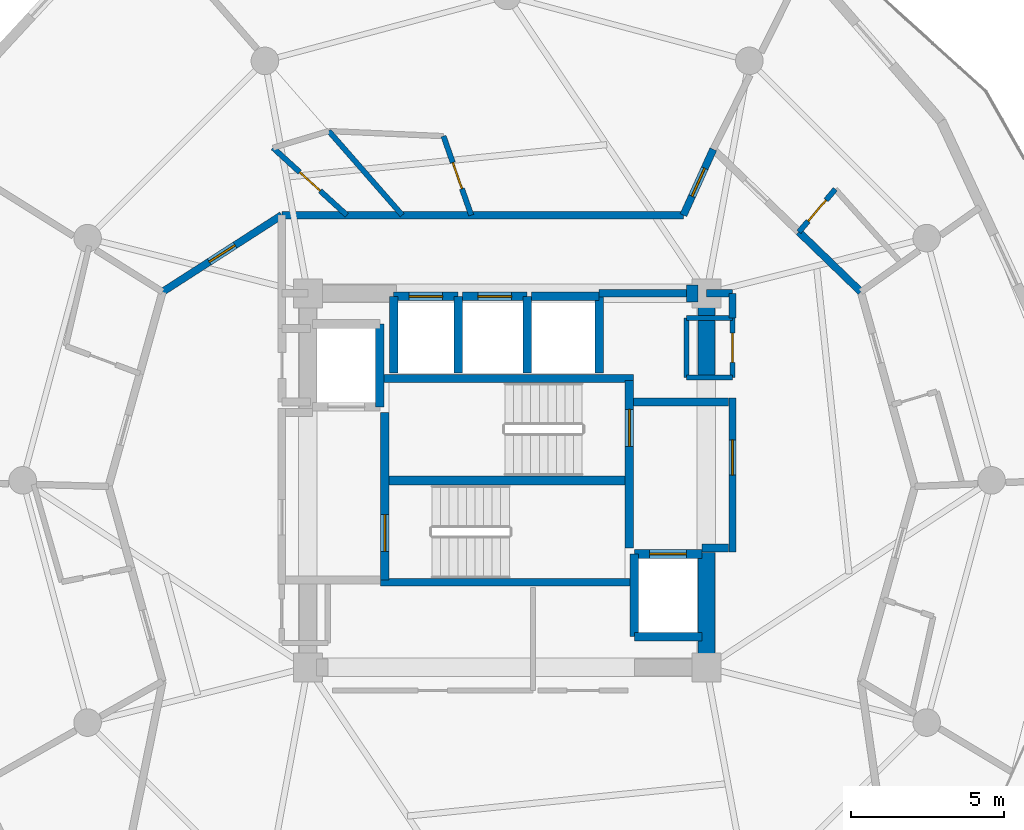
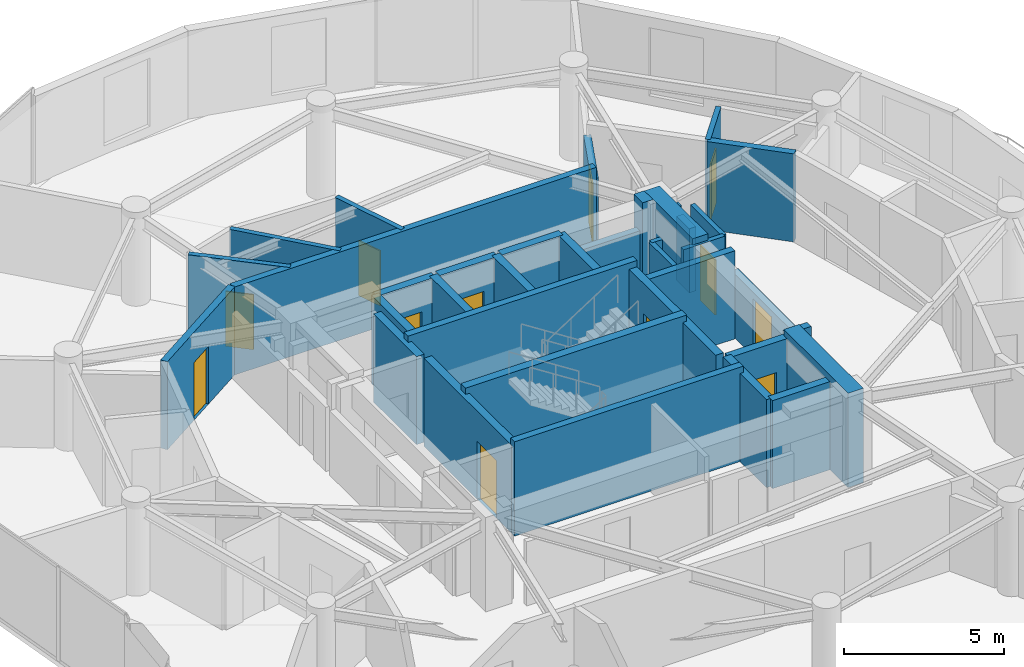
# One storey, part 18 of 22: 37 walls, 12 doors, 12 openings.
"""IFC4 building model written with IfcOpenShell, lengths in metres."""

from ifc_helpers import new_model, si_unit, direction, frame, frame_2d, origin, place, context, subcontext, project, spatial, rectangle, extrude, material, layer, layer_set, type_object, element, fill, save


model = new_model("IFC4")

# Units and contexts
model_context = context("Model", 3, precision=1e-05, world=origin(), true_north=direction((0.0, 1.0)))
body_context = subcontext(model_context, "Body", "Model", "MODEL_VIEW")
ifc_project = project(units=[si_unit("LENGTHUNIT", "METRE"), si_unit("AREAUNIT", "SQUARE_METRE"), si_unit("VOLUMEUNIT", "CUBIC_METRE"), si_unit("PLANEANGLEUNIT", "RADIAN"), si_unit("MASSUNIT", "GRAM", prefix="KILO")], contexts=[model_context])

# Site, building, storey
site_placement = place(None, origin())
site = spatial("IfcSite", under=ifc_project, at=site_placement, CompositionType="ELEMENT")
building_placement = place(site_placement, origin())
building = spatial("IfcBuilding", under=site, at=building_placement, Name="Solvirekh Grand Hotel", CompositionType="ELEMENT")
storey_placement = place(building_placement, frame((0.0, 0.0, 227.199951171875)))
storey = spatial("IfcBuildingStorey", under=building, at=storey_placement, Name="L59", CompositionType="ELEMENT", Elevation=227.199951171875)

# Walls
ifc_material_1 = material(Name="Concrete C50/60", Category="concrete")
ifc_layer_1 = layer(ifc_material_1, 0.35009765625)
ifc_layer_set_1 = layer_set([ifc_layer_1], Name="Concrete C50/60")
wall_type_1 = type_object("IfcWallType", Name="CoreDivWall_RC350", PredefinedType="SOLIDWALL", material=ifc_layer_set_1)
for number, where, z_axis, x_axis, name in (
    (1, (-4.1298828125, -3.324951171875, 0.0), (0.0, 0.0, 1.0), (1.0, 0.0, 0.0), "L59 core stair box wall ST-S"),
    (2, (-4.1298828125, 3.324951171875, 0.0), (0.0, 0.0, 1.0), (1.0, 0.0, 0.0), "L59 core stair box wall ST-N"),
):
    element("IfcWall", number, at=place(storey_placement, frame(where, z_axis=z_axis, x_axis=x_axis)), inside=storey, type_object=wall_type_1, Name=name, PredefinedType="SOLIDWALL", context=body_context, shape_type="SweptSolid", body=[
        extrude(rectangle(XDim=8.259765625, YDim=0.25, at=frame_2d((4.1298828125, 0.0))), origin(), (0.0, 0.0, 1.0), 3.60009765625),
    ])

# Wall, opening, door
ifc_material_2 = material(Name="Concrete C40/50", Category="concrete")
ifc_layer_2 = layer(ifc_material_2, 0.280029296875)
ifc_layer_set_2 = layer_set([ifc_layer_2], Name="Concrete C40/50")
wall_type_2 = type_object("IfcWallType", Name="CoreShaftWall_RC280", PredefinedType="SOLIDWALL", material=ifc_layer_set_2)
wall_1_placement = place(storey_placement, frame((-1.60009765625, 6.0, 0.0), z_axis=(0.0, 0.0, 1.0), x_axis=(-1.0, 0.0, 0.0)))
wall_1 = element("IfcWall", 3, at=wall_1_placement, inside=storey, type_object=wall_type_2, Name="L59 HP-1 hoistway N wall", PredefinedType="SOLIDWALL", context=body_context, shape_type="SweptSolid", body=[
    extrude(rectangle(XDim=2.099853515625, YDim=0.280029296875, at=frame_2d((1.0498046875, 0.0))), origin(), (0.0, 0.0, 1.0), 3.360107421875),
])
opening_1_placement = place(wall_1_placement, frame((0.5, 0.0, 0.0)))
opening_1 = element("IfcOpeningElement", 4, at=opening_1_placement, cuts=wall_1, Name="Opening LD01", PredefinedType="OPENING", context=body_context, shape_type="SweptSolid", body=[
    extrude(rectangle(XDim=1.10009765625, YDim=2.199951171875, at=frame_2d((0.550048828125, 1.10009765625))), frame((0.0, 0.14990234375, 0.0), z_axis=(0.0, -1.0, 0.0), x_axis=(1.0, 0.0, 0.0)), (0.0, 0.0, 1.0), 0.300048828125),
])
ifc_material_3 = material(Name="Fire-Rated Steel Door Assembly", Category="steel")
door_type_1 = type_object("IfcDoorType", Name="Door_LiftLanding_1100X2200", OperationType="SLIDING_TO_LEFT", PredefinedType="DOOR", material=ifc_material_3)
door_1_placement = place(opening_1_placement, origin())
door_1 = element("IfcDoor", 5, at=door_1_placement, inside=storey, type_object=door_type_1, Name="L59 HP-1 sliding lift landing door", OperationType="SLIDING_TO_LEFT", OverallHeight=2.199951171875, OverallWidth=1.10009765625, PredefinedType="DOOR", context=body_context, shape_type="SweptSolid", body=[
    extrude(rectangle(XDim=1.10009765625, YDim=2.199951171875, at=frame_2d((0.550048828125, 1.10009765625))), frame((0.0, 0.02490234375, 0.0), z_axis=(0.0, -1.0, 0.0), x_axis=(1.0, 0.0, 0.0)), (0.0, 0.0, 1.0), 0.050048828125),
])
fill(opening_1, door_1)

# Walls
for number, where, z_axis, x_axis, name in (
    (6, (-3.699951171875, 6.0, 0.0), (0.0, 0.0, 1.0), (0.0, -1.0, 0.0), "L59 HP-1 hoistway W wall"),
    (7, (-1.60009765625, 3.5, 0.0), (0.0, 0.0, 1.0), (0.0, 1.0, 0.0), "L59 HP-1 hoistway E wall"),
):
    element("IfcWall", number, at=place(storey_placement, frame(where, z_axis=z_axis, x_axis=x_axis)), inside=storey, type_object=wall_type_2, Name=name, PredefinedType="SOLIDWALL", context=body_context, shape_type="SweptSolid", body=[
        extrude(rectangle(XDim=2.5, YDim=0.280029296875, at=frame_2d((1.25, 0.0))), origin(), (0.0, 0.0, 1.0), 3.360107421875),
    ])

# Wall, opening, door
wall_2_placement = place(storey_placement, frame((0.64990234375, 6.0, 0.0), z_axis=(0.0, 0.0, 1.0), x_axis=(-1.0, 0.0, 0.0)))
wall_2 = element("IfcWall", 8, at=wall_2_placement, inside=storey, type_object=wall_type_2, Name="L59 HP-2 hoistway N wall", PredefinedType="SOLIDWALL", context=body_context, shape_type="SweptSolid", body=[
    extrude(rectangle(XDim=2.099853515625, YDim=0.280029296875, at=frame_2d((1.0498046875, 0.0))), origin(), (0.0, 0.0, 1.0), 3.360107421875),
])
opening_2_placement = place(wall_2_placement, frame((0.5, 0.0, 0.0)))
opening_2 = element("IfcOpeningElement", 9, at=opening_2_placement, cuts=wall_2, Name="Opening LD01", PredefinedType="OPENING", context=body_context, shape_type="SweptSolid", body=[
    extrude(rectangle(XDim=1.10009765625, YDim=2.199951171875, at=frame_2d((0.550048828125, 1.10009765625))), frame((0.0, 0.14990234375, 0.0), z_axis=(0.0, -1.0, 0.0), x_axis=(1.0, 0.0, 0.0)), (0.0, 0.0, 1.0), 0.300048828125),
])
door_2_placement = place(opening_2_placement, origin())
door_2 = element("IfcDoor", 10, at=door_2_placement, inside=storey, type_object=door_type_1, Name="L59 HP-2 sliding lift landing door", OperationType="SLIDING_TO_LEFT", OverallHeight=2.199951171875, OverallWidth=1.10009765625, PredefinedType="DOOR", context=body_context, shape_type="SweptSolid", body=[
    extrude(rectangle(XDim=1.10009765625, YDim=2.199951171875, at=frame_2d((0.550048828125, 1.10009765625))), frame((0.0, 0.02490234375, 0.0), z_axis=(0.0, -1.0, 0.0), x_axis=(1.0, 0.0, 0.0)), (0.0, 0.0, 1.0), 0.050048828125),
])
fill(opening_2, door_2)

# Walls
wall_3_placement = place(storey_placement, frame((0.64990234375, 3.5, 0.0), z_axis=(0.0, 0.0, 1.0), x_axis=(0.0, 1.0, 0.0)))
element("IfcWall", 11, at=wall_3_placement, inside=storey, type_object=wall_type_2, Name="L59 HP-2 hoistway E wall", PredefinedType="SOLIDWALL", context=body_context, shape_type="SweptSolid", body=[
    extrude(rectangle(XDim=2.5, YDim=0.280029296875, at=frame_2d((1.25, 0.0))), origin(), (0.0, 0.0, 1.0), 3.360107421875),
])
wall_4_placement = place(storey_placement, frame((3.0, 6.0, 0.0), z_axis=(0.0, 0.0, 1.0), x_axis=(-1.0, 0.0, 0.0)))
element("IfcWall", 12, at=wall_4_placement, inside=storey, type_object=wall_type_2, Name="L59 EX-1 hoistway N wall", PredefinedType="SOLIDWALL", context=body_context, shape_type="SweptSolid", body=[
    extrude(rectangle(XDim=2.199951171875, YDim=0.280029296875, at=frame_2d((1.10009765625, 0.0))), origin(), (0.0, 0.0, 1.0), 3.360107421875),
])
wall_5_placement = place(storey_placement, frame((3.0, 3.5, 0.0), z_axis=(0.0, 0.0, 1.0), x_axis=(0.0, 1.0, 0.0)))
element("IfcWall", 13, at=wall_5_placement, inside=storey, type_object=wall_type_2, Name="L59 EX-1 hoistway E wall", PredefinedType="SOLIDWALL", context=body_context, shape_type="SweptSolid", body=[
    extrude(rectangle(XDim=2.5, YDim=0.280029296875, at=frame_2d((1.25, 0.0))), origin(), (0.0, 0.0, 1.0), 3.360107421875),
])
wall_6_placement = place(storey_placement, frame((-4.14990234375, 2.39990234375, 0.0), z_axis=(0.0, 0.0, 1.0), x_axis=(0.0, 1.0, 0.0)))
element("IfcWall", 14, at=wall_6_placement, inside=storey, type_object=wall_type_2, Name="L59 FL-1 hoistway E wall", PredefinedType="SOLIDWALL", context=body_context, shape_type="SweptSolid", body=[
    extrude(rectangle(XDim=2.7001953125, YDim=0.280029296875, at=frame_2d((1.35009765625, 0.0))), origin(), (0.0, 0.0, 1.0), 3.360107421875),
])
wall_7_placement = place(storey_placement, frame((4.14990234375, -5.10009765625, 0.0), z_axis=(0.0, 0.0, 1.0), x_axis=(1.0, 0.0, 0.0)))
element("IfcWall", 15, at=wall_7_placement, inside=storey, type_object=wall_type_2, Name="L59 FL-2 hoistway S wall", PredefinedType="SOLIDWALL", context=body_context, shape_type="SweptSolid", body=[
    extrude(rectangle(XDim=2.2001953125, YDim=0.280029296875, at=frame_2d((1.10009765625, 0.0))), origin(), (0.0, 0.0, 1.0), 3.360107421875),
])

# Wall, opening, door
wall_8_placement = place(storey_placement, frame((6.35009765625, -2.39990234375, 0.0), z_axis=(0.0, 0.0, 1.0), x_axis=(-1.0, 0.0, 0.0)))
wall_8 = element("IfcWall", 16, at=wall_8_placement, inside=storey, type_object=wall_type_2, Name="L59 FL-2 hoistway N wall", PredefinedType="SOLIDWALL", context=body_context, shape_type="SweptSolid", body=[
    extrude(rectangle(XDim=2.2001953125, YDim=0.280029296875, at=frame_2d((1.10009765625, 0.0))), origin(), (0.0, 0.0, 1.0), 3.360107421875),
])
opening_3_placement = place(wall_8_placement, frame((0.5, 0.0, 0.0)))
opening_3 = element("IfcOpeningElement", 17, at=opening_3_placement, cuts=wall_8, Name="Opening LD02", PredefinedType="OPENING", context=body_context, shape_type="SweptSolid", body=[
    extrude(rectangle(XDim=1.199951171875, YDim=2.199951171875, at=frame_2d((0.60009765625, 1.10009765625))), frame((0.0, 0.14990234375, 0.0), z_axis=(0.0, -1.0, 0.0), x_axis=(1.0, 0.0, 0.0)), (0.0, 0.0, 1.0), 0.300048828125),
])
door_type_2 = type_object("IfcDoorType", Name="Door_LiftFF_1200X2200", OperationType="SLIDING_TO_LEFT", PredefinedType="DOOR", material=ifc_material_3)
door_3_placement = place(opening_3_placement, origin())
door_3 = element("IfcDoor", 18, at=door_3_placement, inside=storey, type_object=door_type_2, Name="L59 FL-2 sliding lift landing door", OperationType="SLIDING_TO_LEFT", OverallHeight=2.199951171875, OverallWidth=1.199951171875, PredefinedType="DOOR", context=body_context, shape_type="SweptSolid", body=[
    extrude(rectangle(XDim=1.199951171875, YDim=2.199951171875, at=frame_2d((0.60009765625, 1.10009765625))), frame((0.0, 0.02490234375, 0.0), z_axis=(0.0, -1.0, 0.0), x_axis=(1.0, 0.0, 0.0)), (0.0, 0.0, 1.0), 0.050048828125),
])
fill(opening_3, door_3)

# Wall
wall_9_placement = place(storey_placement, frame((4.14990234375, -2.39990234375, 0.0), z_axis=(0.0, 0.0, 1.0), x_axis=(0.0, -1.0, 0.0)))
element("IfcWall", 19, at=wall_9_placement, inside=storey, type_object=wall_type_2, Name="L59 FL-2 hoistway W wall", PredefinedType="SOLIDWALL", context=body_context, shape_type="SweptSolid", body=[
    extrude(rectangle(XDim=2.7001953125, YDim=0.280029296875, at=frame_2d((1.35009765625, 0.0))), origin(), (0.0, 0.0, 1.0), 3.360107421875),
])

# Wall, opening, door
wall_10_placement = place(storey_placement, frame((-3.989990234375, -3.25, 0.0), z_axis=(0.0, 0.0, 1.0), x_axis=(0.0, 1.0, 0.0)))
wall_10 = element("IfcWall", 20, at=wall_10_placement, inside=storey, type_object=wall_type_2, Name="L59 west stair landing enclosure wall", PredefinedType="SOLIDWALL", context=body_context, shape_type="SweptSolid", body=[
    extrude(rectangle(XDim=5.4599609375, YDim=0.280029296875, at=frame_2d((2.72998046875, 0.0))), origin(), (0.0, 0.0, 1.0), 3.360107421875),
])
opening_4_placement = place(wall_10_placement, frame((0.93701171875, 0.0, 0.0)))
opening_4 = element("IfcOpeningElement", 21, at=opening_4_placement, cuts=wall_10, Name="Opening D05", PredefinedType="OPENING", context=body_context, shape_type="SweptSolid", body=[
    extrude(rectangle(XDim=1.199951171875, YDim=2.199951171875, at=frame_2d((0.60009765625, 1.10009765625))), frame((0.0, 0.14990234375, 0.0), z_axis=(0.0, -1.0, 0.0), x_axis=(1.0, 0.0, 0.0)), (0.0, 0.0, 1.0), 0.300048828125),
])
door_type_3 = type_object("IfcDoorType", Name="Door_StairCore_1200X2200", OperationType="NOTDEFINED", PredefinedType="DOOR", material=ifc_material_3)
door_4_placement = place(opening_4_placement, origin())
door_4 = element("IfcDoor", 22, at=door_4_placement, inside=storey, type_object=door_type_3, Name="L59 exit stair ST-1 fire door", OperationType="SINGLE_SWING_RIGHT", OverallHeight=2.199951171875, OverallWidth=1.199951171875, PredefinedType="DOOR", context=body_context, shape_type="SweptSolid", body=[
    extrude(rectangle(XDim=1.199951171875, YDim=2.199951171875, at=frame_2d((0.60009765625, 1.10009765625))), frame((0.0, 0.02490234375, 0.0), z_axis=(0.0, -1.0, 0.0), x_axis=(1.0, 0.0, 0.0)), (0.0, 0.0, 1.0), 0.050048828125),
])
fill(opening_4, door_4)

wall_11_placement = place(storey_placement, frame((3.989990234375, -2.2099609375, 0.0), z_axis=(0.0, 0.0, 1.0), x_axis=(0.0, 1.0, 0.0)))
wall_11 = element("IfcWall", 23, at=wall_11_placement, inside=storey, type_object=wall_type_2, Name="L59 east stair landing enclosure wall", PredefinedType="SOLIDWALL", context=body_context, shape_type="SweptSolid", body=[
    extrude(rectangle(XDim=5.4599609375, YDim=0.280029296875, at=frame_2d((2.72998046875, 0.0))), origin(), (0.0, 0.0, 1.0), 3.360107421875),
])
opening_5_placement = place(wall_11_placement, frame((3.322998046875, 0.0, 0.0)))
opening_5 = element("IfcOpeningElement", 24, at=opening_5_placement, cuts=wall_11, Name="Opening D05", PredefinedType="OPENING", context=body_context, shape_type="SweptSolid", body=[
    extrude(rectangle(XDim=1.199951171875, YDim=2.199951171875, at=frame_2d((0.60009765625, 1.10009765625))), frame((0.0, 0.14990234375, 0.0), z_axis=(0.0, -1.0, 0.0), x_axis=(1.0, 0.0, 0.0)), (0.0, 0.0, 1.0), 0.300048828125),
])
door_5_placement = place(opening_5_placement, origin())
door_5 = element("IfcDoor", 25, at=door_5_placement, inside=storey, type_object=door_type_3, Name="L59 exit stair ST-2 fire door", OperationType="SINGLE_SWING_LEFT", OverallHeight=2.199951171875, OverallWidth=1.199951171875, PredefinedType="DOOR", context=body_context, shape_type="SweptSolid", body=[
    extrude(rectangle(XDim=1.199951171875, YDim=2.199951171875, at=frame_2d((0.60009765625, 1.10009765625))), frame((0.0, 0.02490234375, 0.0), z_axis=(0.0, -1.0, 0.0), x_axis=(1.0, 0.0, 0.0)), (0.0, 0.0, 1.0), 0.050048828125),
])
fill(opening_5, door_5)

# Walls
ifc_layer_3 = layer(ifc_material_1, 0.550048828125)
ifc_layer_set_3 = layer_set([ifc_layer_3], Name="Concrete C50/60")
wall_type_3 = type_object("IfcWallType", Name="CoreWall_RC550", PredefinedType="SHEAR", material=ifc_layer_set_3)
wall_12_placement = place(storey_placement, frame((-3.989990234375, 0.0, 0.0), z_axis=(0.0, 0.0, 1.0), x_axis=(1.0, 0.0, 0.0)))
element("IfcWall", 26, at=wall_12_placement, inside=storey, type_object=wall_type_3, Name="L59 central stair-spine shear wall", PredefinedType="SHEAR", context=body_context, shape_type="SweptSolid", body=[
    extrude(rectangle(XDim=7.97998046875, YDim=0.300048828125, at=frame_2d((3.989990234375, 0.0))), origin(), (0.0, 0.0, 1.0), 3.60009765625),
])
wall_13_placement = place(storey_placement, frame((5.85009765625, 6.10009765625, 0.0), z_axis=(0.0, 0.0, 1.0), x_axis=(1.0, 0.0, 0.0)))
element("IfcWall", 27, at=wall_13_placement, inside=storey, type_object=wall_type_3, Name="L59 core corner shear wall NE-N", PredefinedType="SHEAR", context=body_context, shape_type="SweptSolid", body=[
    extrude(rectangle(XDim=0.375, YDim=0.550048828125, at=frame_2d((0.1875, 0.0))), origin(), (0.0, 0.0, 1.0), 3.60009765625),
])
wall_14_placement = place(storey_placement, frame((6.5, -6.375, 0.0), z_axis=(0.0, 0.0, 1.0), x_axis=(0.0, 1.0, 0.0)))
element("IfcWall", 28, at=wall_14_placement, inside=storey, type_object=wall_type_3, Name="L59 core corner shear wall ES-E", PredefinedType="SHEAR", context=body_context, shape_type="SweptSolid", body=[
    extrude(rectangle(XDim=4.02490234375, YDim=0.550048828125, at=frame_2d((2.012451171875, 0.0))), origin(), (0.0, 0.0, 1.0), 3.60009765625),
])
wall_15_placement = place(storey_placement, frame((6.5, 3.35009765625, 0.0), z_axis=(0.0, 0.0, 1.0), x_axis=(0.0, 1.0, 0.0)))
element("IfcWall", 29, at=wall_15_placement, inside=storey, type_object=wall_type_3, Name="L59 core corner shear wall EN-E", PredefinedType="SHEAR", context=body_context, shape_type="SweptSolid", body=[
    extrude(rectangle(XDim=3.02490234375, YDim=0.550048828125, at=frame_2d((1.512451171875, 0.0))), origin(), (0.0, 0.0, 1.0), 3.60009765625),
])
ifc_material_4 = material(Name="Acoustic Gypsum Partition Assembly")
ifc_layer_4 = layer(ifc_material_4, 0.1650390625)
ifc_layer_set_4 = layer_set([ifc_layer_4], Name="Acoustic Gypsum Partition Assembly")
wall_type_4 = type_object("IfcWallType", Name="Part_BOH_165", PredefinedType="PARTITIONING", material=ifc_layer_set_4)
wall_16_placement = place(storey_placement, frame((5.85009765625, 3.35009765625, 0.0), z_axis=(0.0, 0.0, 1.0), x_axis=(1.0, 0.0, 0.0)))
element("IfcWall", 30, at=wall_16_placement, inside=storey, type_object=wall_type_4, Name="L59 L59 Core Housekeeping Room wall 1", PredefinedType="PARTITIONING", context=body_context, shape_type="SweptSolid", body=[
    extrude(rectangle(XDim=1.5, YDim=0.1650390625, at=frame_2d((0.75, 0.0))), origin(), (0.0, 0.0, 1.0), 3.360107421875),
])

# Wall, opening, door
wall_17_placement = place(storey_placement, frame((7.35009765625, 3.35009765625, 0.0), z_axis=(0.0, 0.0, 1.0), x_axis=(0.0, 1.0, 0.0)))
wall_17 = element("IfcWall", 31, at=wall_17_placement, inside=storey, type_object=wall_type_4, Name="L59 L59 Core Housekeeping Room wall 2", PredefinedType="PARTITIONING", context=body_context, shape_type="SweptSolid", body=[
    extrude(rectangle(XDim=1.949951171875, YDim=0.1650390625, at=frame_2d((0.97509765625, 0.0))), origin(), (0.0, 0.0, 1.0), 3.360107421875),
])
opening_6_placement = place(wall_17_placement, frame((0.5, 0.0, 0.0)))
opening_6 = element("IfcOpeningElement", 32, at=opening_6_placement, cuts=wall_17, Name="Opening D10", PredefinedType="OPENING", context=body_context, shape_type="SweptSolid", body=[
    extrude(rectangle(XDim=0.949951171875, YDim=2.10009765625, at=frame_2d((0.47509765625, 1.050048828125))), frame((0.0, 0.092529296875, 0.0), z_axis=(0.0, -1.0, 0.0), x_axis=(1.0, 0.0, 0.0)), (0.0, 0.0, 1.0), 0.18505859375),
])
ifc_material_5 = material(Name="Anodized Bronze Aluminium 6063-T6", Category="aluminium")
door_type_4 = type_object("IfcDoorType", Name="Door_RoomInt_950X2100", OperationType="NOTDEFINED", PredefinedType="DOOR", material=ifc_material_5)
door_6_placement = place(opening_6_placement, origin())
door_6 = element("IfcDoor", 33, at=door_6_placement, inside=storey, type_object=door_type_4, Name="L59 L59 Core Housekeeping Room door", OperationType="SINGLE_SWING_RIGHT", OverallHeight=2.10009765625, OverallWidth=0.949951171875, PredefinedType="DOOR", context=body_context, shape_type="SweptSolid", body=[
    extrude(rectangle(XDim=0.949951171875, YDim=2.10009765625, at=frame_2d((0.47509765625, 1.050048828125))), frame((0.0, 0.02490234375, 0.0), z_axis=(0.0, -1.0, 0.0), x_axis=(1.0, 0.0, 0.0)), (0.0, 0.0, 1.0), 0.050048828125),
])
fill(opening_6, door_6)

# Walls
wall_18_placement = place(storey_placement, frame((7.35009765625, 5.300048828125, 0.0), z_axis=(0.0, 0.0, 1.0), x_axis=(-1.0, 0.0, 0.0)))
element("IfcWall", 34, at=wall_18_placement, inside=storey, type_object=wall_type_4, Name="L59 L59 Core Housekeeping Room wall 3", PredefinedType="PARTITIONING", context=body_context, shape_type="SweptSolid", body=[
    extrude(rectangle(XDim=1.5, YDim=0.1650390625, at=frame_2d((0.75, 0.0))), origin(), (0.0, 0.0, 1.0), 2.445068359375),
])
wall_19_placement = place(storey_placement, frame((5.85009765625, 5.300048828125, 0.0), z_axis=(0.0, 0.0, 1.0), x_axis=(0.0, -1.0, 0.0)))
element("IfcWall", 35, at=wall_19_placement, inside=storey, type_object=wall_type_4, Name="L59 L59 Core Housekeeping Room wall 4", PredefinedType="PARTITIONING", context=body_context, shape_type="SweptSolid", body=[
    extrude(rectangle(XDim=1.949951171875, YDim=0.1650390625, at=frame_2d((0.97509765625, 0.0))), origin(), (0.0, 0.0, 1.0), 2.445068359375),
])

# Wall, opening, door
ifc_layer_5 = layer(ifc_material_4, 0.239990234375)
ifc_layer_set_5 = layer_set([ifc_layer_5], Name="Acoustic Gypsum Partition Assembly")
wall_type_5 = type_object("IfcWallType", Name="Part_Corridor_240", PredefinedType="PARTITIONING", material=ifc_layer_set_5)
wall_20_placement = place(storey_placement, frame((7.35009765625, -2.340087890625, 0.0), z_axis=(0.0, 0.0, 1.0), x_axis=(0.0, 1.0, 0.0)))
wall_20 = element("IfcWall", 36, at=wall_20_placement, inside=storey, type_object=wall_type_5, Name="L59 east firefighting lobby smoke screen wall", PredefinedType="PARTITIONING", context=body_context, shape_type="SweptSolid", body=[
    extrude(rectangle(XDim=5.02001953125, YDim=0.239990234375, at=frame_2d((2.510009765625, 0.0))), origin(), (0.0, 0.0, 1.0), 2.445068359375),
])
opening_7_placement = place(wall_20_placement, frame((2.514892578125, 0.0, 0.0)))
opening_7 = element("IfcOpeningElement", 37, at=opening_7_placement, cuts=wall_20, Name="Opening D06", PredefinedType="OPENING", context=body_context, shape_type="SweptSolid", body=[
    extrude(rectangle(XDim=1.14990234375, YDim=2.199951171875, at=frame_2d((0.574951171875, 1.10009765625))), frame((0.0, 0.1298828125, 0.0), z_axis=(0.0, -1.0, 0.0), x_axis=(1.0, 0.0, 0.0)), (0.0, 0.0, 1.0), 0.260009765625),
])
door_type_5 = type_object("IfcDoorType", Name="Door_FFLobby_1150X2200", OperationType="NOTDEFINED", PredefinedType="DOOR", material=ifc_material_3)
door_7_placement = place(opening_7_placement, origin())
door_7 = element("IfcDoor", 38, at=door_7_placement, inside=storey, type_object=door_type_5, Name="L59 east firefighting lobby smoke door", OperationType="SINGLE_SWING_LEFT", OverallHeight=2.199951171875, OverallWidth=1.14990234375, PredefinedType="DOOR", context=body_context, shape_type="SweptSolid", body=[
    extrude(rectangle(XDim=1.14990234375, YDim=2.199951171875, at=frame_2d((0.574951171875, 1.10009765625))), frame((0.0, 0.02490234375, 0.0), z_axis=(0.0, -1.0, 0.0), x_axis=(1.0, 0.0, 0.0)), (0.0, 0.0, 1.0), 0.050048828125),
])
fill(opening_7, door_7)

# Walls
wall_21_placement = place(storey_placement, frame((-7.35009765625, 8.64990234375, 0.0), z_axis=(0.0, 0.0, 1.0), x_axis=(1.0, 0.0, 0.0)))
element("IfcWall", 39, at=wall_21_placement, inside=storey, type_object=wall_type_5, Name="L59 north lift lobby enclosure wall", PredefinedType="PARTITIONING", context=body_context, shape_type="SweptSolid", body=[
    extrude(rectangle(XDim=13.10009765625, YDim=0.239990234375, at=frame_2d((6.550048828125, 0.0))), origin(), (0.0, 0.0, 1.0), 3.360107421875),
])
wall_22_placement = place(storey_placement, frame((3.0, 6.10009765625, 0.0), z_axis=(0.0, 0.0, 1.0), x_axis=(1.0, 0.0, 0.0)))
element("IfcWall", 40, at=wall_22_placement, inside=storey, type_object=wall_type_5, Name="L59 north core shaft infill wall", PredefinedType="PARTITIONING", context=body_context, shape_type="SweptSolid", body=[
    extrude(rectangle(XDim=2.85009765625, YDim=0.239990234375, at=frame_2d((1.425048828125, 0.0))), origin(), (0.0, 0.0, 1.0), 2.445068359375),
])
wall_23_placement = place(storey_placement, frame((7.35009765625, 5.300048828125, 0.0), z_axis=(0.0, 0.0, 1.0), x_axis=(0.0, 1.0, 0.0)))
element("IfcWall", 41, at=wall_23_placement, inside=storey, type_object=wall_type_5, Name="L59 NE core cheek closure wall", PredefinedType="PARTITIONING", context=body_context, shape_type="SweptSolid", body=[
    extrude(rectangle(XDim=0.800048828125, YDim=0.239990234375, at=frame_2d((0.39990234375, 0.0))), origin(), (0.0, 0.0, 1.0), 2.445068359375),
])
wall_24_placement = place(storey_placement, frame((6.5, 6.10009765625, 0.0), z_axis=(0.0, 0.0, 1.0), x_axis=(1.0, 0.0, 0.0)))
element("IfcWall", 42, at=wall_24_placement, inside=storey, type_object=wall_type_5, Name="L59 NE core corner tie wall", PredefinedType="PARTITIONING", context=body_context, shape_type="SweptSolid", body=[
    extrude(rectangle(XDim=0.85009765625, YDim=0.239990234375, at=frame_2d((0.425048828125, 0.0))), origin(), (0.0, 0.0, 1.0), 2.8759765625),
])

# Wall, opening, door
wall_25_placement = place(storey_placement, frame((5.75, 8.64990234375, 0.0), z_axis=(0.0, 0.0, 1.0), x_axis=(0.413171528251, 0.910653220629, 0.0)))
wall_25 = element("IfcWall", 43, at=wall_25_placement, inside=storey, type_object=wall_type_5, Name="L59 Panorama Suite 6101 entrance wall", PredefinedType="PARTITIONING", context=body_context, shape_type="SweptSolid", body=[
    extrude(rectangle(XDim=2.360107421875, YDim=0.239990234375, at=frame_2d((1.18017578125, 0.0))), origin(), (0.0, 0.0, 1.0), 2.8759765625),
])
opening_8_placement = place(wall_25_placement, frame((0.679931640625, 0.0, 0.0)))
opening_8 = element("IfcOpeningElement", 44, at=opening_8_placement, cuts=wall_25, Name="Opening D07", PredefinedType="OPENING", context=body_context, shape_type="SweptSolid", body=[
    extrude(rectangle(XDim=1.0, YDim=2.199951171875, at=frame_2d((0.5, 1.10009765625))), frame((0.0, 0.1298828125, 0.0), z_axis=(0.0, -1.0, 0.0), x_axis=(1.0, 0.0, 0.0)), (0.0, 0.0, 1.0), 0.260009765625),
])
door_type_6 = type_object("IfcDoorType", Name="Door_GuestEntry_1000X2200", OperationType="NOTDEFINED", PredefinedType="DOOR", material=ifc_material_3)
door_8_placement = place(opening_8_placement, origin())
door_8 = element("IfcDoor", 45, at=door_8_placement, inside=storey, type_object=door_type_6, Name="L59 Panorama Suite 6101 entrance door", OperationType="SINGLE_SWING_RIGHT", OverallHeight=2.199951171875, OverallWidth=1.0, PredefinedType="DOOR", context=body_context, shape_type="SweptSolid", body=[
    extrude(rectangle(XDim=1.0, YDim=2.199951171875, at=frame_2d((0.5, 1.10009765625))), frame((0.0, 0.02490234375, 0.0), z_axis=(0.0, -1.0, 0.0), x_axis=(1.0, 0.0, 0.0)), (0.0, 0.0, 1.0), 0.050048828125),
])
fill(opening_8, door_8)

wall_26_placement = place(storey_placement, frame((-11.238037109375, 6.14990234375, 0.0), z_axis=(0.0, 0.0, 1.0), x_axis=(0.841118406986, 0.540851019625, 0.0)))
wall_26 = element("IfcWall", 46, at=wall_26_placement, inside=storey, type_object=wall_type_5, Name="L59 Deluxe Guestroom 6102 entrance wall", PredefinedType="PARTITIONING", context=body_context, shape_type="SweptSolid", body=[
    extrude(rectangle(XDim=4.622314453125, YDim=0.239990234375, at=frame_2d((2.31103515625, 0.0))), origin(), (0.0, 0.0, 1.0), 3.360107421875),
])
opening_9_placement = place(wall_26_placement, frame((1.81103515625, 0.0, 0.0)))
opening_9 = element("IfcOpeningElement", 47, at=opening_9_placement, cuts=wall_26, Name="Opening D07", PredefinedType="OPENING", context=body_context, shape_type="SweptSolid", body=[
    extrude(rectangle(XDim=1.0, YDim=2.199951171875, at=frame_2d((0.5, 1.10009765625))), frame((0.0, 0.1298828125, 0.0), z_axis=(0.0, -1.0, 0.0), x_axis=(1.0, 0.0, 0.0)), (0.0, 0.0, 1.0), 0.260009765625),
])
door_9_placement = place(opening_9_placement, origin())
door_9 = element("IfcDoor", 48, at=door_9_placement, inside=storey, type_object=door_type_6, Name="L59 Deluxe Guestroom 6102 entrance door", OperationType="SINGLE_SWING_RIGHT", OverallHeight=2.199951171875, OverallWidth=1.0, PredefinedType="DOOR", context=body_context, shape_type="SweptSolid", body=[
    extrude(rectangle(XDim=1.0, YDim=2.199951171875, at=frame_2d((0.5, 1.10009765625))), frame((0.0, 0.02490234375, 0.0), z_axis=(0.0, -1.0, 0.0), x_axis=(1.0, 0.0, 0.0)), (0.0, 0.0, 1.0), 0.050048828125),
])
fill(opening_9, door_9)

# Walls
wall_27_placement = place(storey_placement, frame((11.5380859375, 6.14990234375, 0.0), z_axis=(0.0, 0.0, 1.0), x_axis=(-0.719078080202, 0.694929287463, 0.0)))
element("IfcWall", 49, at=wall_27_placement, inside=storey, type_object=wall_type_5, Name="L59 En-suite Bathroom 6107 corridor backing wall", PredefinedType="PARTITIONING", context=body_context, shape_type="SweptSolid", body=[
    extrude(rectangle(XDim=2.810546875, YDim=0.239990234375, at=frame_2d((1.4052734375, 0.0))), origin(), (0.0, 0.0, 1.0), 3.360107421875),
])
ifc_layer_6 = layer(ifc_material_4, 0.260009765625)
ifc_layer_set_6 = layer_set([ifc_layer_6], Name="Acoustic Gypsum Partition Assembly")
wall_type_6 = type_object("IfcWallType", Name="Part_LobbyFF_260", PredefinedType="PARTITIONING", material=ifc_layer_set_6)
wall_28_placement = place(storey_placement, frame((6.35009765625, -2.2099609375, 0.0), z_axis=(0.0, 0.0, 1.0), x_axis=(1.0, 0.0, 0.0)))
element("IfcWall", 50, at=wall_28_placement, inside=storey, type_object=wall_type_6, Name="L59 east firefighting lobby SE cheek", PredefinedType="PARTITIONING", context=body_context, shape_type="SweptSolid", body=[
    extrude(rectangle(XDim=0.875, YDim=0.260009765625, at=frame_2d((0.4375, 0.0))), origin(), (0.0, 0.0, 1.0), 3.360107421875),
])
wall_29_placement = place(storey_placement, frame((4.1298828125, 2.550048828125, 0.0), z_axis=(0.0, 0.0, 1.0), x_axis=(1.0, 0.0, 0.0)))
element("IfcWall", 51, at=wall_29_placement, inside=storey, type_object=wall_type_6, Name="L59 east firefighting lobby north partition", PredefinedType="PARTITIONING", context=body_context, shape_type="SweptSolid", body=[
    extrude(rectangle(XDim=3.09521484375, YDim=0.260009765625, at=frame_2d((1.547607421875, 0.0))), origin(), (0.0, 0.0, 1.0), 3.360107421875),
])
ifc_layer_7 = layer(ifc_material_4, 0.175048828125)
ifc_layer_set_7 = layer_set([ifc_layer_7], Name="Acoustic Gypsum Partition Assembly")
wall_type_7 = type_object("IfcWallType", Name="Plumb_Ensuite_175", PredefinedType="PLUMBINGWALL", material=ifc_layer_set_7)
wall_30_placement = place(storey_placement, frame((-5.81689453125, 11.39306640625, 0.0), z_axis=(0.0, 0.0, 1.0), x_axis=(0.657992027161, -0.753024894803, 0.0)))
element("IfcWall", 52, at=wall_30_placement, inside=storey, type_object=wall_type_7, Name="L59 En-suite Bathroom 6101 side plumbing wall", PredefinedType="PLUMBINGWALL", context=body_context, shape_type="SweptSolid", body=[
    extrude(rectangle(XDim=3.642822265625, YDim=0.175048828125, at=frame_2d((1.8212890625, 0.0))), origin(), (0.0, 0.0, 1.0), 3.360107421875),
])

# Wall, opening, door
wall_31_placement = place(storey_placement, frame((-1.169921875, 8.64990234375, 0.0), z_axis=(0.0, 0.0, 1.0), x_axis=(-0.331225887152, 0.943551488622, 0.0)))
wall_31 = element("IfcWall", 53, at=wall_31_placement, inside=storey, type_object=wall_type_7, Name="L59 En-suite Bathroom 6101 entry plumbing wall", PredefinedType="PLUMBINGWALL", context=body_context, shape_type="SweptSolid", body=[
    extrude(rectangle(XDim=2.732421875, YDim=0.175048828125, at=frame_2d((1.3662109375, 0.0))), origin(), (0.0, 0.0, 1.0), 3.360107421875),
])
opening_10_placement = place(wall_31_placement, frame((0.916015625, 0.0, 0.0)))
opening_10 = element("IfcOpeningElement", 54, at=opening_10_placement, cuts=wall_31, Name="Opening D09", PredefinedType="OPENING", context=body_context, shape_type="SweptSolid", body=[
    extrude(rectangle(XDim=0.89990234375, YDim=2.10009765625, at=frame_2d((0.449951171875, 1.050048828125))), frame((0.0, 0.09765625, 0.0), z_axis=(0.0, -1.0, 0.0), x_axis=(1.0, 0.0, 0.0)), (0.0, 0.0, 1.0), 0.195068359375),
])
door_type_7 = type_object("IfcDoorType", Name="Door_Ensuite_900X2100", OperationType="NOTDEFINED", PredefinedType="DOOR", material=ifc_material_5)
door_10_placement = place(opening_10_placement, origin())
door_10 = element("IfcDoor", 55, at=door_10_placement, inside=storey, type_object=door_type_7, Name="L59 En-suite Bathroom 6101 door", OperationType="SINGLE_SWING_LEFT", OverallHeight=2.10009765625, OverallWidth=0.89990234375, PredefinedType="DOOR", context=body_context, shape_type="SweptSolid", body=[
    extrude(rectangle(XDim=0.89990234375, YDim=2.10009765625, at=frame_2d((0.449951171875, 1.050048828125))), frame((0.0, 0.02490234375, 0.0), z_axis=(0.0, -1.0, 0.0), x_axis=(1.0, 0.0, 0.0)), (0.0, 0.0, 1.0), 0.050048828125),
])
fill(opening_10, door_10)

wall_32_placement = place(storey_placement, frame((-7.635009765625, 10.846923828125, 0.0), z_axis=(0.0, 0.0, 1.0), x_axis=(0.738586041598, -0.674159223891, 0.0)))
wall_32 = element("IfcWall", 56, at=wall_32_placement, inside=storey, type_object=wall_type_7, Name="L59 En-suite Bathroom 6102 entry plumbing wall", PredefinedType="PLUMBINGWALL", context=body_context, shape_type="SweptSolid", body=[
    extrude(rectangle(XDim=3.2587890625, YDim=0.175048828125, at=frame_2d((1.62939453125, 0.0))), origin(), (0.0, 0.0, 1.0), 3.360107421875),
])
opening_11_placement = place(wall_32_placement, frame((1.178955078125, 0.0, 0.0)))
opening_11 = element("IfcOpeningElement", 57, at=opening_11_placement, cuts=wall_32, Name="Opening D09", PredefinedType="OPENING", context=body_context, shape_type="SweptSolid", body=[
    extrude(rectangle(XDim=0.89990234375, YDim=2.10009765625, at=frame_2d((0.449951171875, 1.050048828125))), frame((0.0, 0.09765625, 0.0), z_axis=(0.0, -1.0, 0.0), x_axis=(1.0, 0.0, 0.0)), (0.0, 0.0, 1.0), 0.195068359375),
])
door_11_placement = place(opening_11_placement, origin())
door_11 = element("IfcDoor", 58, at=door_11_placement, inside=storey, type_object=door_type_7, Name="L59 En-suite Bathroom 6102 door", OperationType="SINGLE_SWING_LEFT", OverallHeight=2.10009765625, OverallWidth=0.89990234375, PredefinedType="DOOR", context=body_context, shape_type="SweptSolid", body=[
    extrude(rectangle(XDim=0.89990234375, YDim=2.10009765625, at=frame_2d((0.449951171875, 1.050048828125))), frame((0.0, 0.02490234375, 0.0), z_axis=(0.0, -1.0, 0.0), x_axis=(1.0, 0.0, 0.0)), (0.0, 0.0, 1.0), 0.050048828125),
])
fill(opening_11, door_11)

wall_33_placement = place(storey_placement, frame((9.51708984375, 8.10302734375, 0.0), z_axis=(0.0, 0.0, 1.0), x_axis=(0.64830617709, 0.76137973492, 0.0)))
wall_33 = element("IfcWall", 59, at=wall_33_placement, inside=storey, type_object=wall_type_7, Name="L59 En-suite Bathroom 6107 entry plumbing wall", PredefinedType="PLUMBINGWALL", context=body_context, shape_type="SweptSolid", body=[
    extrude(rectangle(XDim=1.8310546875, YDim=0.175048828125, at=frame_2d((0.91552734375, 0.0))), origin(), (0.0, 0.0, 1.0), 3.360107421875),
])
opening_12_placement = place(wall_33_placement, frame((0.465087890625, 0.0, 0.0)))
opening_12 = element("IfcOpeningElement", 60, at=opening_12_placement, cuts=wall_33, Name="Opening D09", PredefinedType="OPENING", context=body_context, shape_type="SweptSolid", body=[
    extrude(rectangle(XDim=0.89990234375, YDim=2.10009765625, at=frame_2d((0.449951171875, 1.050048828125))), frame((0.0, 0.09765625, 0.0), z_axis=(0.0, -1.0, 0.0), x_axis=(1.0, 0.0, 0.0)), (0.0, 0.0, 1.0), 0.195068359375),
])
door_12_placement = place(opening_12_placement, origin())
door_12 = element("IfcDoor", 61, at=door_12_placement, inside=storey, type_object=door_type_7, Name="L59 En-suite Bathroom 6107 door", OperationType="SINGLE_SWING_LEFT", OverallHeight=2.10009765625, OverallWidth=0.89990234375, PredefinedType="DOOR", context=body_context, shape_type="SweptSolid", body=[
    extrude(rectangle(XDim=0.89990234375, YDim=2.10009765625, at=frame_2d((0.449951171875, 1.050048828125))), frame((0.0, 0.02490234375, 0.0), z_axis=(0.0, -1.0, 0.0), x_axis=(1.0, 0.0, 0.0)), (0.0, 0.0, 1.0), 0.050048828125),
])
fill(opening_12, door_12)

save(model, "model.ifc")
